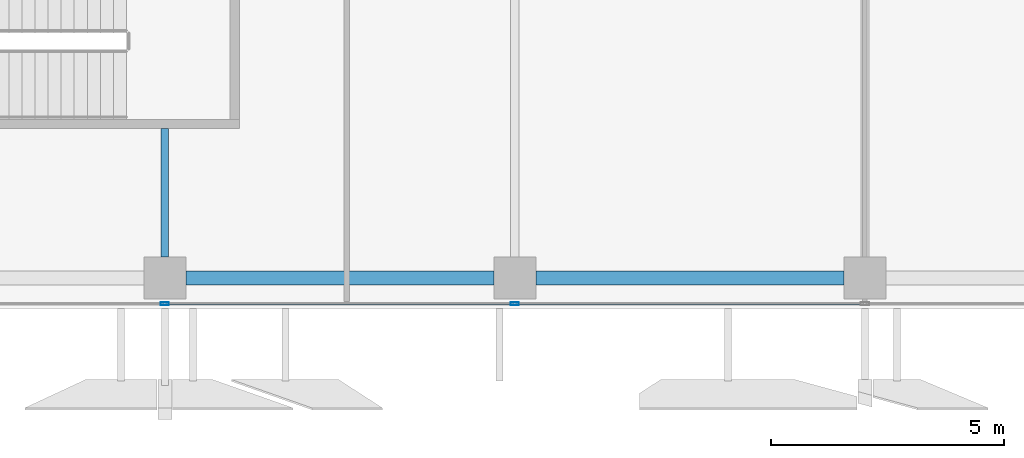
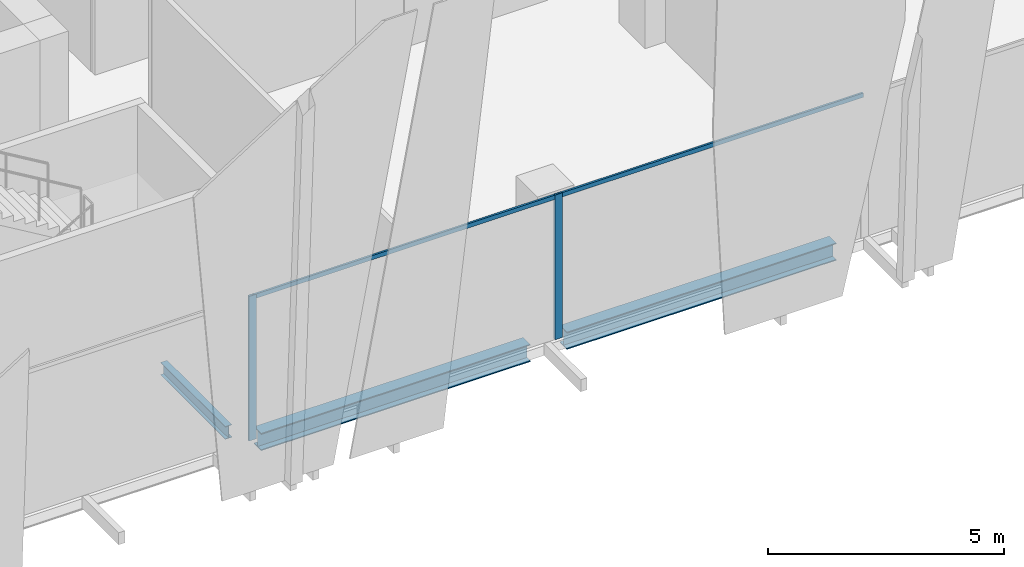
# One storey, part 4 of 33: 4 members, 3 beams, 1 element without a shape of its own.
"""IFC4 building model written with IfcOpenShell, lengths in metres."""

from ifc_helpers import new_model, si_unit, direction, frame, origin, origin_2d, place, context, subcontext, project, spatial, hollow_rectangle, i_section, extrude, source, transform, mapped, material, material_profile, profile_set, type_object, element, aggregate, save


model = new_model("IFC4")

# Units and contexts
model_context = context("Model", 3, precision=1e-05, world=origin(), true_north=direction((0.0, 1.0)))
body_context = subcontext(model_context, "Body", "Model", "MODEL_VIEW")
ifc_project = project(units=[si_unit("LENGTHUNIT", "METRE"), si_unit("AREAUNIT", "SQUARE_METRE"), si_unit("VOLUMEUNIT", "CUBIC_METRE"), si_unit("PLANEANGLEUNIT", "RADIAN"), si_unit("MASSUNIT", "GRAM", prefix="KILO")], contexts=[model_context])

# Site, building, storey
site_placement = place(None, origin())
site = spatial("IfcSite", under=ifc_project, at=site_placement, CompositionType="ELEMENT")
building_placement = place(site_placement, origin())
building = spatial("IfcBuilding", under=site, at=building_placement, Name="Khomas Fold Tower", CompositionType="ELEMENT")
storey_placement = place(building_placement, frame((0.0, 0.0, 234.199951171875)))
storey = spatial("IfcBuildingStorey", under=building, at=storey_placement, Name="L52", CompositionType="ELEMENT", Elevation=234.199951171875)

# Beams
ifc_material_1 = material(Name="Steel S355", Category="steel")
ifc_material_profile_1 = material_profile(ifc_material_1, i_section(OverallWidth=0.159912109375, OverallDepth=0.330078125, WebThickness=0.007568359375, FlangeThickness=0.011474609375, at=origin_2d()), Name="IPE 330")
ifc_profile_set_1 = profile_set([ifc_material_profile_1], Name="Steel S355")
beam_type_1 = type_object("IfcBeamType", Name="IPE 330 beam JB1", PredefinedType="BEAM", material=ifc_profile_set_1)
shared_shape_1 = source(origin(), body_context, "Body", "SweptSolid", [
    extrude(i_section(OverallWidth=0.159912109375, OverallDepth=0.330078125, WebThickness=0.007568359375, FlangeThickness=0.011474609375, at=origin_2d()), origin(), (0.0, 0.0, 1.0), 2.75),
])
beam_placement = place(storey_placement, frame((19.5, 5.60009765625, -0.4150390625), z_axis=(0.0, 1.0, 0.0), x_axis=(-1.0, 0.0, 0.0)))
element("IfcBeam", 1, at=beam_placement, inside=storey, type_object=beam_type_1, Name="JB1", PredefinedType="BEAM", context=body_context, shape_type="MappedRepresentation", body=[
    mapped(shared_shape_1, transform((0.0, 0.0, 0.0))),
])
ifc_material_2 = material(Name="Steel S355", Category="steel")
ifc_material_profile_2 = material_profile(ifc_material_2, i_section(OverallWidth=0.300048828125, OverallDepth=0.449951171875, WebThickness=0.013916015625, FlangeThickness=0.02587890625, at=origin_2d()), Name="HE 450 B")
ifc_profile_set_2 = profile_set([ifc_material_profile_2], Name="Steel S355")
beam_type_2 = type_object("IfcBeamType", Name="HE 450 B spandrel SB4", PredefinedType="SPANDREL", material=ifc_profile_set_2)
shared_shape_2 = source(origin(), body_context, "Body", "SweptSolid", [
    extrude(i_section(OverallWidth=0.300048828125, OverallDepth=0.449951171875, WebThickness=0.013916015625, FlangeThickness=0.02587890625, at=origin_2d()), origin(), (0.0, 0.0, 1.0), 6.60009765625),
])
for number, where, z_axis, x_axis, name in (
    (2, (19.949951171875, 5.14990234375, -0.474853515625), (1.0, 0.0, 0.0), (0.0, 1.0, 0.0), "SB4"),
    (3, (27.449951171875, 5.14990234375, -0.474853515625), (1.0, 0.0, 0.0), (0.0, 1.0, 0.0), "SB4"),
):
    element("IfcBeam", number, at=place(storey_placement, frame(where, z_axis=z_axis, x_axis=x_axis)), inside=storey, type_object=beam_type_2, Name=name, PredefinedType="SPANDREL", context=body_context, shape_type="MappedRepresentation", body=[
        mapped(shared_shape_2, transform((0.0, 0.0, 0.0))),
    ])

# Curtain wall, members
ifc_material_3 = material(Name="Aluminium framed double glazing", Category="aluminium")
curtain_wall_type = type_object("IfcCurtainWallType", Name="SK-Unitised clear-glass wall, office floors CW2", PredefinedType="NOTDEFINED", material=ifc_material_3)
curtain_wall_placement = place(storey_placement, origin())
curtain_wall = element("IfcCurtainWall", 4, at=curtain_wall_placement, inside=storey, type_object=curtain_wall_type, Name="CW2 run L52 00-0", PredefinedType="NOTDEFINED")
ifc_material_4 = material(Name="Aluminium", Category="aluminium")
ifc_material_profile_3 = material_profile(ifc_material_4, hollow_rectangle(XDim=0.06005859375, YDim=0.179931640625, WallThickness=0.00390625, at=origin_2d()), Name="SK-Unitised clear-glass wall, office floors mullion CW2-M")
ifc_profile_set_3 = profile_set([ifc_material_profile_3], Name="Aluminium")
member_type_1 = type_object("IfcMemberType", Name="SK-Unitised clear-glass wall, office floors mullion CW2-M", PredefinedType="MULLION", material=ifc_profile_set_3)
shared_shape_3 = source(origin(), body_context, "Body", "SweptSolid", [
    extrude(hollow_rectangle(XDim=0.06005859375, YDim=0.179931640625, WallThickness=0.00390625, at=origin_2d()), origin(), (0.0, 0.0, 1.0), 3.75),
])
member_1_placement = place(storey_placement, frame((19.5, 4.60009765625, 0.0), z_axis=(0.0, 0.0, 1.0), x_axis=(0.0, 1.0, 0.0)))
member_1 = element("IfcMember", 5, at=member_1_placement, type_object=member_type_1, Name="CW2 mullion 3", PredefinedType="MULLION", context=body_context, shape_type="MappedRepresentation", body=[
    mapped(shared_shape_3, transform((0.0, 0.0, 0.0))),
])
member_2_placement = place(storey_placement, frame((27.0, 4.60009765625, 0.0), z_axis=(0.0, 0.0, 1.0), x_axis=(0.0, 1.0, 0.0)))
member_2 = element("IfcMember", 6, at=member_2_placement, type_object=member_type_1, Name="CW2 mullion 4", PredefinedType="MULLION", context=body_context, shape_type="MappedRepresentation", body=[
    mapped(shared_shape_3, transform((0.0, 0.0, 0.0))),
])
ifc_material_5 = material(Name="Aluminium", Category="aluminium")
ifc_material_profile_4 = material_profile(ifc_material_5, hollow_rectangle(XDim=0.050048828125, YDim=0.110107421875, WallThickness=0.00390625, at=origin_2d()), Name="SK-Unitised clear-glass wall, office floors transom CW2-T")
ifc_profile_set_4 = profile_set([ifc_material_profile_4], Name="Aluminium")
member_type_2 = type_object("IfcMemberType", Name="SK-Unitised clear-glass wall, office floors transom CW2-T", PredefinedType="USERDEFINED", material=ifc_profile_set_4)
shared_shape_4 = source(origin(), body_context, "Body", "SweptSolid", [
    extrude(hollow_rectangle(XDim=0.050048828125, YDim=0.110107421875, WallThickness=0.00390625, at=origin_2d()), origin(), (0.0, 0.0, 1.0), 7.43994140625),
])
member_3_placement = place(storey_placement, frame((19.530029296875, 4.60009765625, 3.695068359375), z_axis=(1.0, 0.0, 0.0), x_axis=(0.0, 1.0, 0.0)))
member_3 = element("IfcMember", 7, at=member_3_placement, type_object=member_type_2, Name="CW2 transom 3", ObjectType="TRANSOM", PredefinedType="USERDEFINED", context=body_context, shape_type="MappedRepresentation", body=[
    mapped(shared_shape_4, transform((0.0, 0.0, 0.0))),
])
member_4_placement = place(storey_placement, frame((27.030029296875, 4.60009765625, 3.695068359375), z_axis=(1.0, 0.0, 0.0), x_axis=(0.0, 1.0, 0.0)))
member_4 = element("IfcMember", 8, at=member_4_placement, type_object=member_type_2, Name="CW2 transom 4", ObjectType="TRANSOM", PredefinedType="USERDEFINED", context=body_context, shape_type="MappedRepresentation", body=[
    mapped(shared_shape_4, transform((0.0, 0.0, 0.0))),
])
aggregate(curtain_wall, [member_1, member_2, member_3, member_4])

save(model, "model.ifc")
